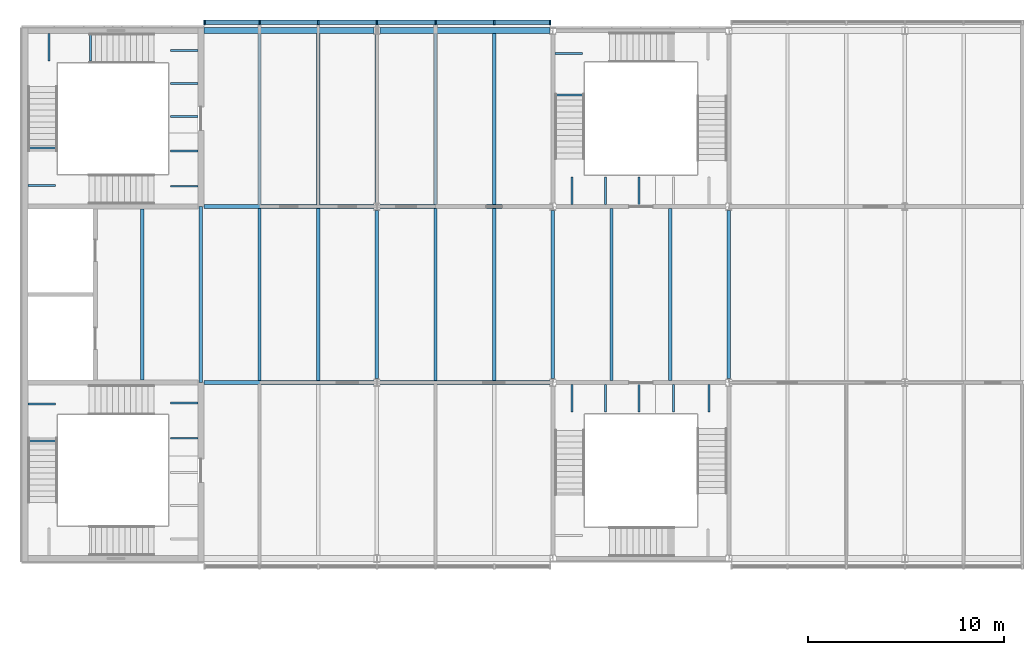
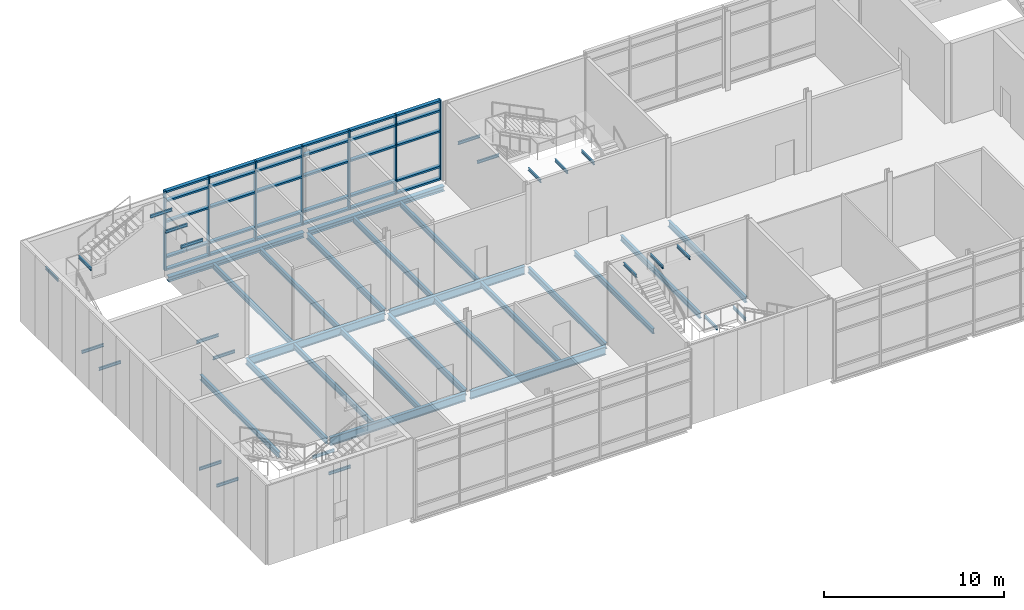
# One storey, part 15 of 53: 45 beams, 37 members, 1 element without a shape of its own.
"""IFC4 building model written with IfcOpenShell, lengths in metres."""

import ifcopenshell
import ifcopenshell.guid

model = None  # the IFC model being written
_history = None  # IfcOwnerHistory: only IFC2X3 demands one
_inside = {}  # id of a spatial element -> (the spatial element, [elements in it])
_under = {}  # id of a project, library or spatial element -> (it, [spatial elements below it])
_declared = {}  # id of a project -> (the project, [libraries it declares])
_typed = {}  # id of a type object -> (the type object, [elements of that type])
_made_of = {}  # id of a material, layer set ... -> (it, [elements and type objects made of it])


def new_model(schema):
    """Start an empty IFC model of exactly this schema.

    Asked for "IFC4X3", IfcOpenShell would pick the latest addendum, in which some entities
    have other attributes; the version numbers below select the first issue.
    IFC2X3 requires an IfcOwnerHistory on every rooted entity: one is made here for all.
    """
    global model, _history
    if schema == "IFC4X3":
        model = ifcopenshell.file(schema_version=(4, 3, 0, 0))
    else:
        model = ifcopenshell.file(schema=schema)
    _inside.clear()
    _under.clear()
    _declared.clear()
    _typed.clear()
    _made_of.clear()
    _history = None
    if model.schema == "IFC2X3":
        org = make("IfcOrganization", Name="unknown")
        user = make(
            "IfcPersonAndOrganization",
            ThePerson=make("IfcPerson", FamilyName="unknown"),
            TheOrganization=org,
        )
        app = make(
            "IfcApplication",
            ApplicationDeveloper=org,
            Version="unknown",
            ApplicationFullName="unknown",
            ApplicationIdentifier="unknown",
        )
        _history = make(
            "IfcOwnerHistory",
            OwningUser=user,
            OwningApplication=app,
            ChangeAction="ADDED",
            CreationDate=0,
        )
    return model


def make(cls, **values):
    """One entity of the class cls with the attributes given. An attribute that is None is left unset."""
    return model.create_entity(
        cls, **{name: value for name, value in values.items() if value is not None}
    )


def rooted(cls, **values):
    """An entity with a GlobalId (a new one), such as an element, a storey or a relation."""
    return make(cls, GlobalId=ifcopenshell.guid.new(), OwnerHistory=_history, **values)


def si_unit(unit_type, name, prefix=None):
    """IfcSIUnit, for example si_unit("LENGTHUNIT", "METRE", prefix="MILLI")."""
    return make("IfcSIUnit", UnitType=unit_type, Prefix=prefix, Name=name)


def assignment(units):
    """IfcUnitAssignment: the units of a project."""
    return None if units is None else make("IfcUnitAssignment", Units=units)


def point(xyz):
    """IfcCartesianPoint."""
    return None if xyz is None else make("IfcCartesianPoint", Coordinates=xyz)


def direction(xyz):
    """IfcDirection."""
    return None if xyz is None else make("IfcDirection", DirectionRatios=xyz)


def frame(location, z_axis=None, x_axis=None):
    """IfcAxis2Placement3D, a coordinate frame: its origin and axes. An axis left out is left unset."""
    return make(
        "IfcAxis2Placement3D",
        Location=point(location),
        Axis=direction(z_axis),
        RefDirection=direction(x_axis),
    )


def frame_2d(location, x_axis=None):
    """IfcAxis2Placement2D, a coordinate frame in the plane: its origin and x axis."""
    return make(
        "IfcAxis2Placement2D", Location=point(location), RefDirection=direction(x_axis)
    )


def origin():
    """The frame at (0, 0, 0) with its axes left unset."""
    return frame((0.0, 0.0, 0.0))


def origin_2d():
    """The frame at (0, 0) in the plane with its x axis left unset."""
    return frame_2d((0.0, 0.0))


def place(relative_to, where):
    """IfcLocalPlacement: puts the frame where relative to a parent placement (None: the world)."""
    return make(
        "IfcLocalPlacement", PlacementRelTo=relative_to, RelativePlacement=where
    )


def context(
    kind, dimensions, precision=None, world=None, true_north=None, identifier=None
):
    """IfcGeometricRepresentationContext, for example the 3D "Model" context."""
    return make(
        "IfcGeometricRepresentationContext",
        ContextIdentifier=identifier,
        ContextType=kind,
        CoordinateSpaceDimension=dimensions,
        Precision=precision,
        WorldCoordinateSystem=world,
        TrueNorth=true_north,
    )


def subcontext(parent, identifier, kind, view, scale=None):
    """IfcGeometricRepresentationSubContext, for example "Body" below "Model"."""
    return make(
        "IfcGeometricRepresentationSubContext",
        ContextIdentifier=identifier,
        ContextType=kind,
        ParentContext=parent,
        TargetScale=scale,
        TargetView=view,
    )


def project(units=None, contexts=None):
    """IfcProject with its units and contexts."""
    return rooted(
        "IfcProject",
        Name="project",
        RepresentationContexts=contexts,
        UnitsInContext=assignment(units),
    )


def spatial(cls, under=None, at=None, **own):
    """A site, building, storey or space (cls), placed at a placement, below another one or the project."""
    s = rooted(cls, ObjectPlacement=at, **own)
    if under is not None:
        _under.setdefault(under.id(), (under, []))[1].append(s)
    return s


def profile(cls, at=None, kind="AREA", **sizes):
    """A parametric profile (cls). Its sizes go by their IFC names, for example OverallWidth=200.0."""
    return make(cls, ProfileType=kind, Position=at, **sizes)


def rectangle(**sizes):
    """IfcRectangleProfileDef."""
    return profile("IfcRectangleProfileDef", **sizes)


def i_section(**sizes):
    """IfcIShapeProfileDef."""
    return profile("IfcIShapeProfileDef", **sizes)


def extrude(swept, where, along, depth):
    """IfcExtrudedAreaSolid: the profile swept, set in the frame where, extruded along a direction by depth."""
    return make(
        "IfcExtrudedAreaSolid",
        SweptArea=swept,
        Position=where,
        ExtrudedDirection=direction(along),
        Depth=depth,
    )


def shape(context_of_items, identifier, shape_type, items):
    """IfcShapeRepresentation: the items that make up one representation, for example the "Body"."""
    return make(
        "IfcShapeRepresentation",
        ContextOfItems=context_of_items,
        RepresentationIdentifier=identifier,
        RepresentationType=shape_type,
        Items=items,
    )


def material(Name=None, Category=None):
    """IfcMaterial."""
    return make("IfcMaterial", Name=Name, Category=Category)


def material_profile(
    of_material, cross_section, Name=None, Category=None, Priority=None
):
    """IfcMaterialProfile: a cross section and its material."""
    return make(
        "IfcMaterialProfile",
        Name=Name,
        Material=of_material,
        Profile=cross_section,
        Priority=Priority,
        Category=Category,
    )


def profile_set(profiles, Name=None, composite=None):
    """IfcMaterialProfileSet."""
    return make(
        "IfcMaterialProfileSet",
        Name=Name,
        MaterialProfiles=profiles,
        CompositeProfile=composite,
    )


def made_of(thing, what):
    """Note that an element or type object is made of a material, layer set ...; save() writes the relation."""
    if what is not None:
        _made_of.setdefault(what.id(), (what, []))[1].append(thing)
    return thing


def type_object(cls, material=None, **own):
    """A type object (cls), such as IfcWallType, which elements share."""
    return made_of(rooted(cls, **own), material)


def element(
    cls,
    number,
    at=None,
    inside=None,
    cuts=None,
    type_object=None,
    material=None,
    context=None,
    identifier="Body",
    shape_type=None,
    held_by="IfcProductDefinitionShape",
    body=None,
    shapes=None,
    **own,
):
    """One element of the class cls, such as IfcWall. Its Tag is "e" and its number.

    at: its placement. inside: the storey or other place that contains it. cuts: it is an
    opening in that element (IfcRelVoidsElement). A single representation is given by context,
    identifier, shape_type and body (its items); several are given by shapes. held_by: the class
    of the entity that holds the representations. save() writes the other relations.
    """
    e = rooted(cls, Tag="e%d" % number, ObjectPlacement=at, **own)
    if body is not None:
        shapes = [shape(context, identifier, shape_type, body)]
    if shapes is not None:
        e.Representation = make(held_by, Representations=shapes)
    if inside is not None:
        _inside.setdefault(inside.id(), (inside, []))[1].append(e)
    if cuts is not None:
        rooted(
            "IfcRelVoidsElement", RelatingBuildingElement=cuts, RelatedOpeningElement=e
        )
    if type_object is not None:
        _typed.setdefault(type_object.id(), (type_object, []))[1].append(e)
    return made_of(e, material)


def aggregate(whole, parts):
    """IfcRelAggregates: a whole, such as a stair, and the parts it consists of."""
    return rooted("IfcRelAggregates", RelatingObject=whole, RelatedObjects=parts)


def save(model, path):
    """Write the relations noted so far, then the file.

    IfcRelAggregates (storeys below a building ...), IfcRelContainedInSpatialStructure (elements
    in a storey), IfcRelDefinesByType, IfcRelAssociatesMaterial and IfcRelDeclares: one each for
    every whole, place, type object, material and project.
    """
    for whole, parts in _under.values():
        aggregate(whole, parts)
    for where, things in _inside.values():
        rooted(
            "IfcRelContainedInSpatialStructure",
            RelatedElements=things,
            RelatingStructure=where,
        )
    for kind, things in _typed.values():
        rooted("IfcRelDefinesByType", RelatedObjects=things, RelatingType=kind)
    for what, things in _made_of.values():
        rooted("IfcRelAssociatesMaterial", RelatedObjects=things, RelatingMaterial=what)
    for by, libraries in _declared.values():
        rooted("IfcRelDeclares", RelatingContext=by, RelatedDefinitions=libraries)
    model.write(path)


model = new_model("IFC4")

# Units and contexts
model_context = context("Model", 3, precision=1e-05, world=origin(), true_north=direction((0.0, 1.0)))
body_context = subcontext(model_context, "Body", "Model", "MODEL_VIEW")
ifc_project = project(units=[si_unit("LENGTHUNIT", "METRE"), si_unit("AREAUNIT", "SQUARE_METRE"), si_unit("VOLUMEUNIT", "CUBIC_METRE"), si_unit("PLANEANGLEUNIT", "RADIAN"), si_unit("MASSUNIT", "GRAM", prefix="KILO")], contexts=[model_context])

# Site, building, storey
site_placement = place(None, origin())
site = spatial("IfcSite", under=ifc_project, at=site_placement, CompositionType="ELEMENT")
building_placement = place(site_placement, origin())
building = spatial("IfcBuilding", under=site, at=building_placement, Name="Azimuth Sports and Learning Centre", CompositionType="ELEMENT")
storey_placement = place(building_placement, frame((0.0, 0.0, 10.800048828125)))
storey = spatial("IfcBuildingStorey", under=building, at=storey_placement, Name="L02", CompositionType="ELEMENT", Elevation=10.800048828125)

# Beams
ifc_material_1 = material(Name="Steel S355", Category="steel")
ifc_material_profile_1 = material_profile(ifc_material_1, i_section(OverallWidth=0.10009765625, OverallDepth=0.199951171875, WebThickness=0.005615234375, FlangeThickness=0.008544921875, FilletRadius=0.011962890625, at=origin_2d()), Name="IPE 200")
ifc_profile_set_1 = profile_set([ifc_material_profile_1], Name="Steel S355")
beam_type_1 = type_object("IfcBeamType", Name="Beam IPE 200", PredefinedType="BEAM", material=ifc_profile_set_1)
for number, where, z_axis, x_axis, name in (
    (1, (8.85009765625, 96.15380859375, -0.300048828125), (-1.0, 0.0, 0.0), (0.0, -1.0, 0.0), "Landing bracket WW1 L02 729"),
    (2, (8.85009765625, 97.961181640625, -0.300048828125), (-1.0, 0.0, 0.0), (0.0, -1.0, 0.0), "Landing bracket WW1 L02 730"),
    (3, (0.14990234375, 96.014892578125, 1.5), (1.0, 0.0, 0.0), (0.0, 1.0, 0.0), "Landing bracket WW1 L02 731"),
    (4, (0.14990234375, 97.9150390625, 1.5), (1.0, 0.0, 0.0), (0.0, 1.0, 0.0), "Landing bracket WW1 L02 732"),
    (5, (8.85009765625, 109.038818359375, -0.300048828125), (-1.0, 0.0, 0.0), (0.0, -1.0, 0.0), "Landing bracket WW2 L02 763"),
    (6, (8.85009765625, 110.84619140625, -0.300048828125), (-1.0, 0.0, 0.0), (0.0, -1.0, 0.0), "Landing bracket WW2 L02 764"),
    (7, (0.14990234375, 109.0849609375, 1.5), (1.0, 0.0, 0.0), (0.0, 1.0, 0.0), "Landing bracket WW2 L02 765"),
    (8, (0.14990234375, 110.985107421875, 1.5), (1.0, 0.0, 0.0), (0.0, 1.0, 0.0), "Landing bracket WW2 L02 766"),
    (9, (1.222412109375, 116.85009765625, 3.300048828125), (0.0, -1.0, 0.0), (1.0, 0.0, 0.0), "Landing bracket WW2 L02 767"),
    (10, (3.347412109375, 116.85009765625, 3.300048828125), (0.0, -1.0, 0.0), (1.0, 0.0, 0.0), "Landing bracket WW2 L02 768"),
    (11, (8.85009765625, 112.598388671875, 5.099853515625), (-1.0, 0.0, 0.0), (0.0, -1.0, 0.0), "Landing bracket WW2 L02 769"),
    (12, (8.85009765625, 114.294921875, 5.099853515625), (-1.0, 0.0, 0.0), (0.0, -1.0, 0.0), "Landing bracket WW2 L02 770"),
    (13, (8.85009765625, 115.99169921875, 5.099853515625), (-1.0, 0.0, 0.0), (0.0, -1.0, 0.0), "Landing bracket WW2 L02 771"),
):
    element("IfcBeam", number, at=place(storey_placement, frame(where, z_axis=z_axis, x_axis=x_axis)), inside=storey, type_object=beam_type_1, Name=name, PredefinedType="BEAM", context=body_context, shape_type="SweptSolid", body=[
        extrude(i_section(OverallWidth=0.10009765625, OverallDepth=0.199951171875, WebThickness=0.005615234375, FlangeThickness=0.008544921875, FilletRadius=0.011962890625, at=origin_2d()), origin(), (0.0, 0.0, 1.0), 1.41015625),
    ])
for number, where, z_axis, x_axis, name in (
    (14, (33.159912109375, 98.89990234375, -0.300048828125), (0.0, -1.0, 0.0), (1.0, 0.0, 0.0), "Landing bracket WM1 L02 865"),
    (15, (34.97998046875, 98.89990234375, -0.300048828125), (0.0, -1.0, 0.0), (1.0, 0.0, 0.0), "Landing bracket WM1 L02 866"),
    (16, (27.966552734375, 98.89990234375, 5.099853515625), (0.0, -1.0, 0.0), (1.0, 0.0, 0.0), "Landing bracket WM1 L02 871"),
    (17, (29.679931640625, 98.89990234375, 5.099853515625), (0.0, -1.0, 0.0), (1.0, 0.0, 0.0), "Landing bracket WM1 L02 872"),
    (18, (31.393310546875, 98.89990234375, 5.099853515625), (0.0, -1.0, 0.0), (1.0, 0.0, 0.0), "Landing bracket WM1 L02 873"),
    (19, (27.10009765625, 113.702392578125, 3.300048828125), (1.0, 0.0, 0.0), (0.0, 1.0, 0.0), "Landing bracket WM2 L02 903"),
    (20, (27.10009765625, 115.827392578125, 3.300048828125), (1.0, 0.0, 0.0), (0.0, 1.0, 0.0), "Landing bracket WM2 L02 904"),
    (21, (27.966552734375, 108.10009765625, 5.099853515625), (0.0, 1.0, 0.0), (-1.0, 0.0, 0.0), "Landing bracket WM2 L02 905"),
    (22, (29.679931640625, 108.10009765625, 5.099853515625), (0.0, 1.0, 0.0), (-1.0, 0.0, 0.0), "Landing bracket WM2 L02 906"),
    (23, (31.393310546875, 108.10009765625, 5.099853515625), (0.0, 1.0, 0.0), (-1.0, 0.0, 0.0), "Landing bracket WM2 L02 907"),
):
    element("IfcBeam", number, at=place(storey_placement, frame(where, z_axis=z_axis, x_axis=x_axis)), inside=storey, type_object=beam_type_1, Name=name, PredefinedType="BEAM", context=body_context, shape_type="SweptSolid", body=[
        extrude(i_section(OverallWidth=0.10009765625, OverallDepth=0.199951171875, WebThickness=0.005615234375, FlangeThickness=0.008544921875, FilletRadius=0.011962890625, at=origin_2d()), origin(), (0.0, 0.0, 1.0), 1.409912109375),
    ])
ifc_material_2 = material(Name="Steel S355", Category="steel")
ifc_material_profile_2 = material_profile(ifc_material_2, i_section(OverallWidth=0.179931640625, OverallDepth=0.39990234375, WebThickness=0.008544921875, FlangeThickness=0.013427734375, FilletRadius=0.02099609375, at=origin_2d()), Name="IPE 400")
ifc_profile_set_2 = profile_set([ifc_material_profile_2], Name="Steel S355")
beam_type_2 = type_object("IfcBeamType", Name="Beam IPE 400", PredefinedType="BEAM", material=ifc_profile_set_2)
beam_1_placement = place(storey_placement, frame((9.0, 99.0, -0.35009765625), z_axis=(0.0, 1.0, 0.0), x_axis=(-1.0, 0.0, 0.0)))
element("IfcBeam", 24, at=beam_1_placement, inside=storey, type_object=beam_type_2, Name="Beam L02 WW 17", PredefinedType="BEAM", context=body_context, shape_type="SweptSolid", body=[
    extrude(i_section(OverallWidth=0.179931640625, OverallDepth=0.39990234375, WebThickness=0.008544921875, FlangeThickness=0.013427734375, FilletRadius=0.02099609375, at=origin_2d()), origin(), (0.0, 0.0, 1.0), 9.0),
])
for number, where, z_axis, x_axis, name in (
    (25, (18.0, 99.199951171875, -0.35009765625), (0.0, 1.0, 0.0), (-1.0, 0.0, 0.0), "Beam L02 WW 19"),
    (26, (18.0, 108.199951171875, -0.35009765625), (0.0, 1.0, 0.0), (-1.0, 0.0, 0.0), "Beam L02 WW 20"),
    (27, (27.0, 99.199951171875, -0.35009765625), (0.0, 1.0, 0.0), (-1.0, 0.0, 0.0), "Beam L02 WW 21"),
    (28, (36.0, 99.199951171875, -0.35009765625), (0.0, 1.0, 0.0), (-1.0, 0.0, 0.0), "Beam L02 WW 22"),
):
    element("IfcBeam", number, at=place(storey_placement, frame(where, z_axis=z_axis, x_axis=x_axis)), inside=storey, type_object=beam_type_2, Name=name, PredefinedType="BEAM", context=body_context, shape_type="SweptSolid", body=[
        extrude(i_section(OverallWidth=0.179931640625, OverallDepth=0.39990234375, WebThickness=0.008544921875, FlangeThickness=0.013427734375, FilletRadius=0.02099609375, at=origin_2d()), origin(), (0.0, 0.0, 1.0), 8.60009765625),
    ])
ifc_material_3 = material(Name="Steel S355", Category="steel")
ifc_material_profile_3 = material_profile(ifc_material_3, i_section(OverallWidth=0.2099609375, OverallDepth=0.550048828125, WebThickness=0.010986328125, FlangeThickness=0.01708984375, FilletRadius=0.02392578125, at=origin_2d()), Name="IPE 550")
ifc_profile_set_3 = profile_set([ifc_material_profile_3], Name="Steel S355")
beam_type_3 = type_object("IfcBeamType", Name="Beam IPE 550", PredefinedType="BEAM", material=ifc_profile_set_3)
for number, where, z_axis, x_axis, name in (
    (29, (9.14990234375, 99.0, -0.425048828125), (1.0, 0.0, 0.0), (0.0, 1.0, 0.0), "Beam L02 WW 5"),
    (30, (18.14990234375, 99.0, -0.425048828125), (1.0, 0.0, 0.0), (0.0, 1.0, 0.0), "Beam L02 WW 6"),
    (31, (9.14990234375, 108.0, -0.425048828125), (1.0, 0.0, 0.0), (0.0, 1.0, 0.0), "Beam L02 WW 9"),
    (32, (18.14990234375, 108.0, -0.425048828125), (1.0, 0.0, 0.0), (0.0, 1.0, 0.0), "Beam L02 WW 10"),
):
    element("IfcBeam", number, at=place(storey_placement, frame(where, z_axis=z_axis, x_axis=x_axis)), inside=storey, type_object=beam_type_3, Name=name, PredefinedType="BEAM", context=body_context, shape_type="SweptSolid", body=[
        extrude(i_section(OverallWidth=0.2099609375, OverallDepth=0.550048828125, WebThickness=0.010986328125, FlangeThickness=0.01708984375, FilletRadius=0.02392578125, at=origin_2d()), origin(), (0.0, 0.0, 1.0), 8.7001953125),
    ])
ifc_material_4 = material(Name="Steel S355", Category="steel")
ifc_material_profile_4 = material_profile(ifc_material_4, i_section(OverallWidth=0.300048828125, OverallDepth=0.330078125, WebThickness=0.009521484375, FlangeThickness=0.0166015625, FilletRadius=0.027099609375, at=origin_2d()), Name="HEA 340")
ifc_profile_set_4 = profile_set([ifc_material_profile_4], Name="Steel S355")
beam_type_4 = type_object("IfcBeamType", Name="Edge beam HEA 340", PredefinedType="SPANDREL", material=ifc_profile_set_4)
for number, where, z_axis, x_axis, name in (
    (33, (9.14990234375, 117.0, -0.31494140625), (1.0, 0.0, 0.0), (0.0, 1.0, 0.0), "Edge beam L02 WW 13"),
    (34, (18.14990234375, 117.0, -0.31494140625), (1.0, 0.0, 0.0), (0.0, 1.0, 0.0), "Edge beam L02 WW 14"),
):
    element("IfcBeam", number, at=place(storey_placement, frame(where, z_axis=z_axis, x_axis=x_axis)), inside=storey, type_object=beam_type_4, Name=name, PredefinedType="SPANDREL", context=body_context, shape_type="SweptSolid", body=[
        extrude(i_section(OverallWidth=0.300048828125, OverallDepth=0.330078125, WebThickness=0.009521484375, FlangeThickness=0.0166015625, FilletRadius=0.027099609375, at=origin_2d()), origin(), (0.0, 0.0, 1.0), 8.7001953125),
    ])
ifc_material_5 = material(Name="Steel S355", Category="steel")
ifc_material_profile_5 = material_profile(ifc_material_5, i_section(OverallWidth=0.169921875, OverallDepth=0.360107421875, WebThickness=0.008056640625, FlangeThickness=0.0126953125, FilletRadius=0.01806640625, at=origin_2d()), Name="IPE 360")
ifc_profile_set_5 = profile_set([ifc_material_profile_5], Name="Steel S355")
beam_type_5 = type_object("IfcBeamType", Name="Joist IPE 360", PredefinedType="JOIST", material=ifc_profile_set_5)
beam_2_placement = place(storey_placement, frame((6.0, 99.125, -0.330078125), z_axis=(0.0, 1.0, 0.0), x_axis=(-1.0, 0.0, 0.0)))
element("IfcBeam", 35, at=beam_2_placement, inside=storey, type_object=beam_type_5, Name="Joist L02 WW 27", PredefinedType="JOIST", context=body_context, shape_type="SweptSolid", body=[
    extrude(i_section(OverallWidth=0.169921875, OverallDepth=0.360107421875, WebThickness=0.008056640625, FlangeThickness=0.0126953125, FilletRadius=0.01806640625, at=origin_2d()), origin(), (0.0, 0.0, 1.0), 8.75),
])
beam_3_placement = place(storey_placement, frame((12.0, 99.10498046875, -0.330078125), z_axis=(0.0, 1.0, 0.0), x_axis=(-1.0, 0.0, 0.0)))
element("IfcBeam", 36, at=beam_3_placement, inside=storey, type_object=beam_type_5, Name="Joist L02 WW 29", PredefinedType="JOIST", context=body_context, shape_type="SweptSolid", body=[
    extrude(i_section(OverallWidth=0.169921875, OverallDepth=0.360107421875, WebThickness=0.008056640625, FlangeThickness=0.0126953125, FilletRadius=0.01806640625, at=origin_2d()), origin(), (0.0, 0.0, 1.0), 8.7900390625),
])
beam_4_placement = place(storey_placement, frame((12.0, 108.10498046875, -0.330078125), z_axis=(0.0, 1.0, 0.0), x_axis=(-1.0, 0.0, 0.0)))
element("IfcBeam", 37, at=beam_4_placement, inside=storey, type_object=beam_type_5, Name="Joist L02 WW 30", PredefinedType="JOIST", context=body_context, shape_type="SweptSolid", body=[
    extrude(i_section(OverallWidth=0.169921875, OverallDepth=0.360107421875, WebThickness=0.008056640625, FlangeThickness=0.0126953125, FilletRadius=0.01806640625, at=origin_2d()), origin(), (0.0, 0.0, 1.0), 8.7451171875),
])
beam_5_placement = place(storey_placement, frame((15.0, 99.10498046875, -0.330078125), z_axis=(0.0, 1.0, 0.0), x_axis=(-1.0, 0.0, 0.0)))
element("IfcBeam", 38, at=beam_5_placement, inside=storey, type_object=beam_type_5, Name="Joist L02 WW 32", PredefinedType="JOIST", context=body_context, shape_type="SweptSolid", body=[
    extrude(i_section(OverallWidth=0.169921875, OverallDepth=0.360107421875, WebThickness=0.008056640625, FlangeThickness=0.0126953125, FilletRadius=0.01806640625, at=origin_2d()), origin(), (0.0, 0.0, 1.0), 8.7900390625),
])
beam_6_placement = place(storey_placement, frame((15.0, 108.10498046875, -0.330078125), z_axis=(0.0, 1.0, 0.0), x_axis=(-1.0, 0.0, 0.0)))
element("IfcBeam", 39, at=beam_6_placement, inside=storey, type_object=beam_type_5, Name="Joist L02 WW 33", PredefinedType="JOIST", context=body_context, shape_type="SweptSolid", body=[
    extrude(i_section(OverallWidth=0.169921875, OverallDepth=0.360107421875, WebThickness=0.008056640625, FlangeThickness=0.0126953125, FilletRadius=0.01806640625, at=origin_2d()), origin(), (0.0, 0.0, 1.0), 8.7451171875),
])
beam_7_placement = place(storey_placement, frame((21.0, 99.10498046875, -0.330078125), z_axis=(0.0, 1.0, 0.0), x_axis=(-1.0, 0.0, 0.0)))
element("IfcBeam", 40, at=beam_7_placement, inside=storey, type_object=beam_type_5, Name="Joist L02 WW 35", PredefinedType="JOIST", context=body_context, shape_type="SweptSolid", body=[
    extrude(i_section(OverallWidth=0.169921875, OverallDepth=0.360107421875, WebThickness=0.008056640625, FlangeThickness=0.0126953125, FilletRadius=0.01806640625, at=origin_2d()), origin(), (0.0, 0.0, 1.0), 8.7900390625),
])
beam_8_placement = place(storey_placement, frame((21.0, 108.10498046875, -0.330078125), z_axis=(0.0, 1.0, 0.0), x_axis=(-1.0, 0.0, 0.0)))
element("IfcBeam", 41, at=beam_8_placement, inside=storey, type_object=beam_type_5, Name="Joist L02 WW 36", PredefinedType="JOIST", context=body_context, shape_type="SweptSolid", body=[
    extrude(i_section(OverallWidth=0.169921875, OverallDepth=0.360107421875, WebThickness=0.008056640625, FlangeThickness=0.0126953125, FilletRadius=0.01806640625, at=origin_2d()), origin(), (0.0, 0.0, 1.0), 8.7451171875),
])
beam_9_placement = place(storey_placement, frame((24.0, 99.10498046875, -0.330078125), z_axis=(0.0, 1.0, 0.0), x_axis=(-1.0, 0.0, 0.0)))
element("IfcBeam", 42, at=beam_9_placement, inside=storey, type_object=beam_type_5, Name="Joist L02 WW 38", PredefinedType="JOIST", context=body_context, shape_type="SweptSolid", body=[
    extrude(i_section(OverallWidth=0.169921875, OverallDepth=0.360107421875, WebThickness=0.008056640625, FlangeThickness=0.0126953125, FilletRadius=0.01806640625, at=origin_2d()), origin(), (0.0, 0.0, 1.0), 8.7900390625),
])
beam_10_placement = place(storey_placement, frame((24.0, 108.10498046875, -0.330078125), z_axis=(0.0, 1.0, 0.0), x_axis=(-1.0, 0.0, 0.0)))
element("IfcBeam", 43, at=beam_10_placement, inside=storey, type_object=beam_type_5, Name="Joist L02 WW 39", PredefinedType="JOIST", context=body_context, shape_type="SweptSolid", body=[
    extrude(i_section(OverallWidth=0.169921875, OverallDepth=0.360107421875, WebThickness=0.008056640625, FlangeThickness=0.0126953125, FilletRadius=0.01806640625, at=origin_2d()), origin(), (0.0, 0.0, 1.0), 8.7451171875),
])
for number, where, z_axis, x_axis, name in (
    (44, (30.0, 99.10009765625, -0.330078125), (0.0, 1.0, 0.0), (-1.0, 0.0, 0.0), "Joist L02 WW 40"),
    (45, (33.0, 99.10009765625, -0.330078125), (0.0, 1.0, 0.0), (-1.0, 0.0, 0.0), "Joist L02 WW 41"),
):
    element("IfcBeam", number, at=place(storey_placement, frame(where, z_axis=z_axis, x_axis=x_axis)), inside=storey, type_object=beam_type_5, Name=name, PredefinedType="JOIST", context=body_context, shape_type="SweptSolid", body=[
        extrude(i_section(OverallWidth=0.169921875, OverallDepth=0.360107421875, WebThickness=0.008056640625, FlangeThickness=0.0126953125, FilletRadius=0.01806640625, at=origin_2d()), origin(), (0.0, 0.0, 1.0), 8.7998046875),
    ])

# Curtain wall, members
ifc_material_6 = material(Name="Aluminium and glass", Category="aluminium")
curtain_wall_type = type_object("IfcCurtainWallType", Name="Curtain wall podium wing 240", PredefinedType="NOTDEFINED", material=ifc_material_6)
curtain_wall_placement = place(storey_placement, origin())
curtain_wall = element("IfcCurtainWall", 46, at=curtain_wall_placement, inside=storey, type_object=curtain_wall_type, Name="Curtain wall CW02-014", PredefinedType="NOTDEFINED")
ifc_material_7 = material(Name="Aluminium", Category="aluminium")
ifc_material_profile_6 = material_profile(ifc_material_7, rectangle(XDim=0.239990234375, YDim=0.080078125, at=origin_2d()), Name="Mullion 80x240")
ifc_profile_set_6 = profile_set([ifc_material_profile_6], Name="Aluminium")
member_type_1 = type_object("IfcMemberType", Name="Mullion 80x240", PredefinedType="MULLION", material=ifc_profile_set_6)
member_1_placement = place(storey_placement, frame((26.860107421875, 117.419921875, 0.0), z_axis=(0.0, 0.0, 1.0), x_axis=(0.0, -1.0, 0.0)))
member_1 = element("IfcMember", 47, at=member_1_placement, type_object=member_type_1, Name="CW02-014 mullion 1", PredefinedType="MULLION", context=body_context, shape_type="SweptSolid", body=[
    extrude(rectangle(XDim=0.239990234375, YDim=0.080078125, at=origin_2d()), origin(), (0.0, 0.0, 1.0), 5.39990234375),
])
member_2_placement = place(storey_placement, frame((24.0, 117.419921875, 0.0), z_axis=(0.0, 0.0, 1.0), x_axis=(0.0, -1.0, 0.0)))
member_2 = element("IfcMember", 48, at=member_2_placement, type_object=member_type_1, Name="CW02-014 mullion 2", PredefinedType="MULLION", context=body_context, shape_type="SweptSolid", body=[
    extrude(rectangle(XDim=0.239990234375, YDim=0.080078125, at=origin_2d()), origin(), (0.0, 0.0, 1.0), 5.39990234375),
])
member_3_placement = place(storey_placement, frame((21.0, 117.419921875, 0.0), z_axis=(0.0, 0.0, 1.0), x_axis=(0.0, -1.0, 0.0)))
member_3 = element("IfcMember", 49, at=member_3_placement, type_object=member_type_1, Name="CW02-014 mullion 3", PredefinedType="MULLION", context=body_context, shape_type="SweptSolid", body=[
    extrude(rectangle(XDim=0.239990234375, YDim=0.080078125, at=origin_2d()), origin(), (0.0, 0.0, 1.0), 5.39990234375),
])
member_4_placement = place(storey_placement, frame((18.0, 117.419921875, 0.0), z_axis=(0.0, 0.0, 1.0), x_axis=(0.0, -1.0, 0.0)))
member_4 = element("IfcMember", 50, at=member_4_placement, type_object=member_type_1, Name="CW02-014 mullion 4", PredefinedType="MULLION", context=body_context, shape_type="SweptSolid", body=[
    extrude(rectangle(XDim=0.239990234375, YDim=0.080078125, at=origin_2d()), origin(), (0.0, 0.0, 1.0), 5.39990234375),
])
member_5_placement = place(storey_placement, frame((15.0, 117.419921875, 0.0), z_axis=(0.0, 0.0, 1.0), x_axis=(0.0, -1.0, 0.0)))
member_5 = element("IfcMember", 51, at=member_5_placement, type_object=member_type_1, Name="CW02-014 mullion 5", PredefinedType="MULLION", context=body_context, shape_type="SweptSolid", body=[
    extrude(rectangle(XDim=0.239990234375, YDim=0.080078125, at=origin_2d()), origin(), (0.0, 0.0, 1.0), 5.39990234375),
])
member_6_placement = place(storey_placement, frame((12.0, 117.419921875, 0.0), z_axis=(0.0, 0.0, 1.0), x_axis=(0.0, -1.0, 0.0)))
member_6 = element("IfcMember", 52, at=member_6_placement, type_object=member_type_1, Name="CW02-014 mullion 6", PredefinedType="MULLION", context=body_context, shape_type="SweptSolid", body=[
    extrude(rectangle(XDim=0.239990234375, YDim=0.080078125, at=origin_2d()), origin(), (0.0, 0.0, 1.0), 5.39990234375),
])
member_7_placement = place(storey_placement, frame((9.18994140625, 117.419921875, 0.0), z_axis=(0.0, 0.0, 1.0), x_axis=(0.0, -1.0, 0.0)))
member_7 = element("IfcMember", 53, at=member_7_placement, type_object=member_type_1, Name="CW02-014 mullion 7", PredefinedType="MULLION", context=body_context, shape_type="SweptSolid", body=[
    extrude(rectangle(XDim=0.239990234375, YDim=0.080078125, at=origin_2d()), origin(), (0.0, 0.0, 1.0), 5.39990234375),
])
ifc_material_8 = material(Name="Aluminium", Category="aluminium")
ifc_material_profile_7 = material_profile(ifc_material_8, rectangle(XDim=0.239990234375, YDim=0.1201171875, at=origin_2d()), Name="Transom 120x240")
ifc_profile_set_7 = profile_set([ifc_material_profile_7], Name="Aluminium")
member_type_2 = type_object("IfcMemberType", Name="Transom 120x240", PredefinedType="USERDEFINED", material=ifc_profile_set_7)
member_8_placement = place(storey_placement, frame((26.820068359375, 117.419921875, 0.06005859375), z_axis=(-1.0, 0.0, 0.0), x_axis=(0.0, -1.0, 0.0)))
member_8 = element("IfcMember", 54, at=member_8_placement, type_object=member_type_2, Name="CW02-014 transom 1.1", ObjectType="TRANSOM", PredefinedType="USERDEFINED", context=body_context, shape_type="SweptSolid", body=[
    extrude(rectangle(XDim=0.239990234375, YDim=0.1201171875, at=origin_2d()), origin(), (0.0, 0.0, 1.0), 2.780029296875),
])
member_9_placement = place(storey_placement, frame((26.820068359375, 117.419921875, 0.89990234375), z_axis=(-1.0, 0.0, 0.0), x_axis=(0.0, -1.0, 0.0)))
member_9 = element("IfcMember", 55, at=member_9_placement, type_object=member_type_2, Name="CW02-014 transom 1.2", ObjectType="TRANSOM", PredefinedType="USERDEFINED", context=body_context, shape_type="SweptSolid", body=[
    extrude(rectangle(XDim=0.239990234375, YDim=0.1201171875, at=origin_2d()), origin(), (0.0, 0.0, 1.0), 2.780029296875),
])
member_10_placement = place(storey_placement, frame((26.820068359375, 117.419921875, 3.300048828125), z_axis=(-1.0, 0.0, 0.0), x_axis=(0.0, -1.0, 0.0)))
member_10 = element("IfcMember", 56, at=member_10_placement, type_object=member_type_2, Name="CW02-014 transom 1.3", ObjectType="TRANSOM", PredefinedType="USERDEFINED", context=body_context, shape_type="SweptSolid", body=[
    extrude(rectangle(XDim=0.239990234375, YDim=0.1201171875, at=origin_2d()), origin(), (0.0, 0.0, 1.0), 2.780029296875),
])
member_11_placement = place(storey_placement, frame((26.820068359375, 117.419921875, 4.699951171875), z_axis=(-1.0, 0.0, 0.0), x_axis=(0.0, -1.0, 0.0)))
member_11 = element("IfcMember", 57, at=member_11_placement, type_object=member_type_2, Name="CW02-014 transom 1.4", ObjectType="TRANSOM", PredefinedType="USERDEFINED", context=body_context, shape_type="SweptSolid", body=[
    extrude(rectangle(XDim=0.239990234375, YDim=0.1201171875, at=origin_2d()), origin(), (0.0, 0.0, 1.0), 2.780029296875),
])
member_12_placement = place(storey_placement, frame((26.820068359375, 117.419921875, 5.33984375), z_axis=(-1.0, 0.0, 0.0), x_axis=(0.0, -1.0, 0.0)))
member_12 = element("IfcMember", 58, at=member_12_placement, type_object=member_type_2, Name="CW02-014 transom 1.5", ObjectType="TRANSOM", PredefinedType="USERDEFINED", context=body_context, shape_type="SweptSolid", body=[
    extrude(rectangle(XDim=0.239990234375, YDim=0.1201171875, at=origin_2d()), origin(), (0.0, 0.0, 1.0), 2.780029296875),
])
member_13_placement = place(storey_placement, frame((23.9599609375, 117.419921875, 0.06005859375), z_axis=(-1.0, 0.0, 0.0), x_axis=(0.0, -1.0, 0.0)))
member_13 = element("IfcMember", 59, at=member_13_placement, type_object=member_type_2, Name="CW02-014 transom 2.1", ObjectType="TRANSOM", PredefinedType="USERDEFINED", context=body_context, shape_type="SweptSolid", body=[
    extrude(rectangle(XDim=0.239990234375, YDim=0.1201171875, at=origin_2d()), origin(), (0.0, 0.0, 1.0), 2.919921875),
])
member_14_placement = place(storey_placement, frame((23.9599609375, 117.419921875, 0.89990234375), z_axis=(-1.0, 0.0, 0.0), x_axis=(0.0, -1.0, 0.0)))
member_14 = element("IfcMember", 60, at=member_14_placement, type_object=member_type_2, Name="CW02-014 transom 2.2", ObjectType="TRANSOM", PredefinedType="USERDEFINED", context=body_context, shape_type="SweptSolid", body=[
    extrude(rectangle(XDim=0.239990234375, YDim=0.1201171875, at=origin_2d()), origin(), (0.0, 0.0, 1.0), 2.919921875),
])
member_15_placement = place(storey_placement, frame((23.9599609375, 117.419921875, 3.300048828125), z_axis=(-1.0, 0.0, 0.0), x_axis=(0.0, -1.0, 0.0)))
member_15 = element("IfcMember", 61, at=member_15_placement, type_object=member_type_2, Name="CW02-014 transom 2.3", ObjectType="TRANSOM", PredefinedType="USERDEFINED", context=body_context, shape_type="SweptSolid", body=[
    extrude(rectangle(XDim=0.239990234375, YDim=0.1201171875, at=origin_2d()), origin(), (0.0, 0.0, 1.0), 2.919921875),
])
member_16_placement = place(storey_placement, frame((23.9599609375, 117.419921875, 4.699951171875), z_axis=(-1.0, 0.0, 0.0), x_axis=(0.0, -1.0, 0.0)))
member_16 = element("IfcMember", 62, at=member_16_placement, type_object=member_type_2, Name="CW02-014 transom 2.4", ObjectType="TRANSOM", PredefinedType="USERDEFINED", context=body_context, shape_type="SweptSolid", body=[
    extrude(rectangle(XDim=0.239990234375, YDim=0.1201171875, at=origin_2d()), origin(), (0.0, 0.0, 1.0), 2.919921875),
])
member_17_placement = place(storey_placement, frame((23.9599609375, 117.419921875, 5.33984375), z_axis=(-1.0, 0.0, 0.0), x_axis=(0.0, -1.0, 0.0)))
member_17 = element("IfcMember", 63, at=member_17_placement, type_object=member_type_2, Name="CW02-014 transom 2.5", ObjectType="TRANSOM", PredefinedType="USERDEFINED", context=body_context, shape_type="SweptSolid", body=[
    extrude(rectangle(XDim=0.239990234375, YDim=0.1201171875, at=origin_2d()), origin(), (0.0, 0.0, 1.0), 2.919921875),
])
member_18_placement = place(storey_placement, frame((20.9599609375, 117.419921875, 0.06005859375), z_axis=(-1.0, 0.0, 0.0), x_axis=(0.0, -1.0, 0.0)))
member_18 = element("IfcMember", 64, at=member_18_placement, type_object=member_type_2, Name="CW02-014 transom 3.1", ObjectType="TRANSOM", PredefinedType="USERDEFINED", context=body_context, shape_type="SweptSolid", body=[
    extrude(rectangle(XDim=0.239990234375, YDim=0.1201171875, at=origin_2d()), origin(), (0.0, 0.0, 1.0), 2.919921875),
])
member_19_placement = place(storey_placement, frame((20.9599609375, 117.419921875, 0.89990234375), z_axis=(-1.0, 0.0, 0.0), x_axis=(0.0, -1.0, 0.0)))
member_19 = element("IfcMember", 65, at=member_19_placement, type_object=member_type_2, Name="CW02-014 transom 3.2", ObjectType="TRANSOM", PredefinedType="USERDEFINED", context=body_context, shape_type="SweptSolid", body=[
    extrude(rectangle(XDim=0.239990234375, YDim=0.1201171875, at=origin_2d()), origin(), (0.0, 0.0, 1.0), 2.919921875),
])
member_20_placement = place(storey_placement, frame((20.9599609375, 117.419921875, 3.300048828125), z_axis=(-1.0, 0.0, 0.0), x_axis=(0.0, -1.0, 0.0)))
member_20 = element("IfcMember", 66, at=member_20_placement, type_object=member_type_2, Name="CW02-014 transom 3.3", ObjectType="TRANSOM", PredefinedType="USERDEFINED", context=body_context, shape_type="SweptSolid", body=[
    extrude(rectangle(XDim=0.239990234375, YDim=0.1201171875, at=origin_2d()), origin(), (0.0, 0.0, 1.0), 2.919921875),
])
member_21_placement = place(storey_placement, frame((20.9599609375, 117.419921875, 4.699951171875), z_axis=(-1.0, 0.0, 0.0), x_axis=(0.0, -1.0, 0.0)))
member_21 = element("IfcMember", 67, at=member_21_placement, type_object=member_type_2, Name="CW02-014 transom 3.4", ObjectType="TRANSOM", PredefinedType="USERDEFINED", context=body_context, shape_type="SweptSolid", body=[
    extrude(rectangle(XDim=0.239990234375, YDim=0.1201171875, at=origin_2d()), origin(), (0.0, 0.0, 1.0), 2.919921875),
])
member_22_placement = place(storey_placement, frame((20.9599609375, 117.419921875, 5.33984375), z_axis=(-1.0, 0.0, 0.0), x_axis=(0.0, -1.0, 0.0)))
member_22 = element("IfcMember", 68, at=member_22_placement, type_object=member_type_2, Name="CW02-014 transom 3.5", ObjectType="TRANSOM", PredefinedType="USERDEFINED", context=body_context, shape_type="SweptSolid", body=[
    extrude(rectangle(XDim=0.239990234375, YDim=0.1201171875, at=origin_2d()), origin(), (0.0, 0.0, 1.0), 2.919921875),
])
member_23_placement = place(storey_placement, frame((17.9599609375, 117.419921875, 0.06005859375), z_axis=(-1.0, 0.0, 0.0), x_axis=(0.0, -1.0, 0.0)))
member_23 = element("IfcMember", 69, at=member_23_placement, type_object=member_type_2, Name="CW02-014 transom 4.1", ObjectType="TRANSOM", PredefinedType="USERDEFINED", context=body_context, shape_type="SweptSolid", body=[
    extrude(rectangle(XDim=0.239990234375, YDim=0.1201171875, at=origin_2d()), origin(), (0.0, 0.0, 1.0), 2.919921875),
])
member_24_placement = place(storey_placement, frame((17.9599609375, 117.419921875, 0.89990234375), z_axis=(-1.0, 0.0, 0.0), x_axis=(0.0, -1.0, 0.0)))
member_24 = element("IfcMember", 70, at=member_24_placement, type_object=member_type_2, Name="CW02-014 transom 4.2", ObjectType="TRANSOM", PredefinedType="USERDEFINED", context=body_context, shape_type="SweptSolid", body=[
    extrude(rectangle(XDim=0.239990234375, YDim=0.1201171875, at=origin_2d()), origin(), (0.0, 0.0, 1.0), 2.919921875),
])
member_25_placement = place(storey_placement, frame((17.9599609375, 117.419921875, 3.300048828125), z_axis=(-1.0, 0.0, 0.0), x_axis=(0.0, -1.0, 0.0)))
member_25 = element("IfcMember", 71, at=member_25_placement, type_object=member_type_2, Name="CW02-014 transom 4.3", ObjectType="TRANSOM", PredefinedType="USERDEFINED", context=body_context, shape_type="SweptSolid", body=[
    extrude(rectangle(XDim=0.239990234375, YDim=0.1201171875, at=origin_2d()), origin(), (0.0, 0.0, 1.0), 2.919921875),
])
member_26_placement = place(storey_placement, frame((17.9599609375, 117.419921875, 4.699951171875), z_axis=(-1.0, 0.0, 0.0), x_axis=(0.0, -1.0, 0.0)))
member_26 = element("IfcMember", 72, at=member_26_placement, type_object=member_type_2, Name="CW02-014 transom 4.4", ObjectType="TRANSOM", PredefinedType="USERDEFINED", context=body_context, shape_type="SweptSolid", body=[
    extrude(rectangle(XDim=0.239990234375, YDim=0.1201171875, at=origin_2d()), origin(), (0.0, 0.0, 1.0), 2.919921875),
])
member_27_placement = place(storey_placement, frame((17.9599609375, 117.419921875, 5.33984375), z_axis=(-1.0, 0.0, 0.0), x_axis=(0.0, -1.0, 0.0)))
member_27 = element("IfcMember", 73, at=member_27_placement, type_object=member_type_2, Name="CW02-014 transom 4.5", ObjectType="TRANSOM", PredefinedType="USERDEFINED", context=body_context, shape_type="SweptSolid", body=[
    extrude(rectangle(XDim=0.239990234375, YDim=0.1201171875, at=origin_2d()), origin(), (0.0, 0.0, 1.0), 2.919921875),
])
member_28_placement = place(storey_placement, frame((14.9599609375, 117.419921875, 0.06005859375), z_axis=(-1.0, 0.0, 0.0), x_axis=(0.0, -1.0, 0.0)))
member_28 = element("IfcMember", 74, at=member_28_placement, type_object=member_type_2, Name="CW02-014 transom 5.1", ObjectType="TRANSOM", PredefinedType="USERDEFINED", context=body_context, shape_type="SweptSolid", body=[
    extrude(rectangle(XDim=0.239990234375, YDim=0.1201171875, at=origin_2d()), origin(), (0.0, 0.0, 1.0), 2.919921875),
])
member_29_placement = place(storey_placement, frame((14.9599609375, 117.419921875, 0.89990234375), z_axis=(-1.0, 0.0, 0.0), x_axis=(0.0, -1.0, 0.0)))
member_29 = element("IfcMember", 75, at=member_29_placement, type_object=member_type_2, Name="CW02-014 transom 5.2", ObjectType="TRANSOM", PredefinedType="USERDEFINED", context=body_context, shape_type="SweptSolid", body=[
    extrude(rectangle(XDim=0.239990234375, YDim=0.1201171875, at=origin_2d()), origin(), (0.0, 0.0, 1.0), 2.919921875),
])
member_30_placement = place(storey_placement, frame((14.9599609375, 117.419921875, 3.300048828125), z_axis=(-1.0, 0.0, 0.0), x_axis=(0.0, -1.0, 0.0)))
member_30 = element("IfcMember", 76, at=member_30_placement, type_object=member_type_2, Name="CW02-014 transom 5.3", ObjectType="TRANSOM", PredefinedType="USERDEFINED", context=body_context, shape_type="SweptSolid", body=[
    extrude(rectangle(XDim=0.239990234375, YDim=0.1201171875, at=origin_2d()), origin(), (0.0, 0.0, 1.0), 2.919921875),
])
member_31_placement = place(storey_placement, frame((14.9599609375, 117.419921875, 4.699951171875), z_axis=(-1.0, 0.0, 0.0), x_axis=(0.0, -1.0, 0.0)))
member_31 = element("IfcMember", 77, at=member_31_placement, type_object=member_type_2, Name="CW02-014 transom 5.4", ObjectType="TRANSOM", PredefinedType="USERDEFINED", context=body_context, shape_type="SweptSolid", body=[
    extrude(rectangle(XDim=0.239990234375, YDim=0.1201171875, at=origin_2d()), origin(), (0.0, 0.0, 1.0), 2.919921875),
])
member_32_placement = place(storey_placement, frame((14.9599609375, 117.419921875, 5.33984375), z_axis=(-1.0, 0.0, 0.0), x_axis=(0.0, -1.0, 0.0)))
member_32 = element("IfcMember", 78, at=member_32_placement, type_object=member_type_2, Name="CW02-014 transom 5.5", ObjectType="TRANSOM", PredefinedType="USERDEFINED", context=body_context, shape_type="SweptSolid", body=[
    extrude(rectangle(XDim=0.239990234375, YDim=0.1201171875, at=origin_2d()), origin(), (0.0, 0.0, 1.0), 2.919921875),
])
member_33_placement = place(storey_placement, frame((11.9599609375, 117.419921875, 0.06005859375), z_axis=(-1.0, 0.0, 0.0), x_axis=(0.0, -1.0, 0.0)))
member_33 = element("IfcMember", 79, at=member_33_placement, type_object=member_type_2, Name="CW02-014 transom 6.1", ObjectType="TRANSOM", PredefinedType="USERDEFINED", context=body_context, shape_type="SweptSolid", body=[
    extrude(rectangle(XDim=0.239990234375, YDim=0.1201171875, at=origin_2d()), origin(), (0.0, 0.0, 1.0), 2.72998046875),
])
member_34_placement = place(storey_placement, frame((11.9599609375, 117.419921875, 0.89990234375), z_axis=(-1.0, 0.0, 0.0), x_axis=(0.0, -1.0, 0.0)))
member_34 = element("IfcMember", 80, at=member_34_placement, type_object=member_type_2, Name="CW02-014 transom 6.2", ObjectType="TRANSOM", PredefinedType="USERDEFINED", context=body_context, shape_type="SweptSolid", body=[
    extrude(rectangle(XDim=0.239990234375, YDim=0.1201171875, at=origin_2d()), origin(), (0.0, 0.0, 1.0), 2.72998046875),
])
member_35_placement = place(storey_placement, frame((11.9599609375, 117.419921875, 3.300048828125), z_axis=(-1.0, 0.0, 0.0), x_axis=(0.0, -1.0, 0.0)))
member_35 = element("IfcMember", 81, at=member_35_placement, type_object=member_type_2, Name="CW02-014 transom 6.3", ObjectType="TRANSOM", PredefinedType="USERDEFINED", context=body_context, shape_type="SweptSolid", body=[
    extrude(rectangle(XDim=0.239990234375, YDim=0.1201171875, at=origin_2d()), origin(), (0.0, 0.0, 1.0), 2.72998046875),
])
member_36_placement = place(storey_placement, frame((11.9599609375, 117.419921875, 4.699951171875), z_axis=(-1.0, 0.0, 0.0), x_axis=(0.0, -1.0, 0.0)))
member_36 = element("IfcMember", 82, at=member_36_placement, type_object=member_type_2, Name="CW02-014 transom 6.4", ObjectType="TRANSOM", PredefinedType="USERDEFINED", context=body_context, shape_type="SweptSolid", body=[
    extrude(rectangle(XDim=0.239990234375, YDim=0.1201171875, at=origin_2d()), origin(), (0.0, 0.0, 1.0), 2.72998046875),
])
member_37_placement = place(storey_placement, frame((11.9599609375, 117.419921875, 5.33984375), z_axis=(-1.0, 0.0, 0.0), x_axis=(0.0, -1.0, 0.0)))
member_37 = element("IfcMember", 83, at=member_37_placement, type_object=member_type_2, Name="CW02-014 transom 6.5", ObjectType="TRANSOM", PredefinedType="USERDEFINED", context=body_context, shape_type="SweptSolid", body=[
    extrude(rectangle(XDim=0.239990234375, YDim=0.1201171875, at=origin_2d()), origin(), (0.0, 0.0, 1.0), 2.72998046875),
])
aggregate(curtain_wall, [member_1, member_2, member_3, member_4, member_5, member_6, member_7, member_8, member_9, member_10, member_11, member_12, member_13, member_14, member_15, member_16, member_17, member_18, member_19, member_20, member_21, member_22, member_23, member_24, member_25, member_26, member_27, member_28, member_29, member_30, member_31, member_32, member_33, member_34, member_35, member_36, member_37])

save(model, "model.ifc")
